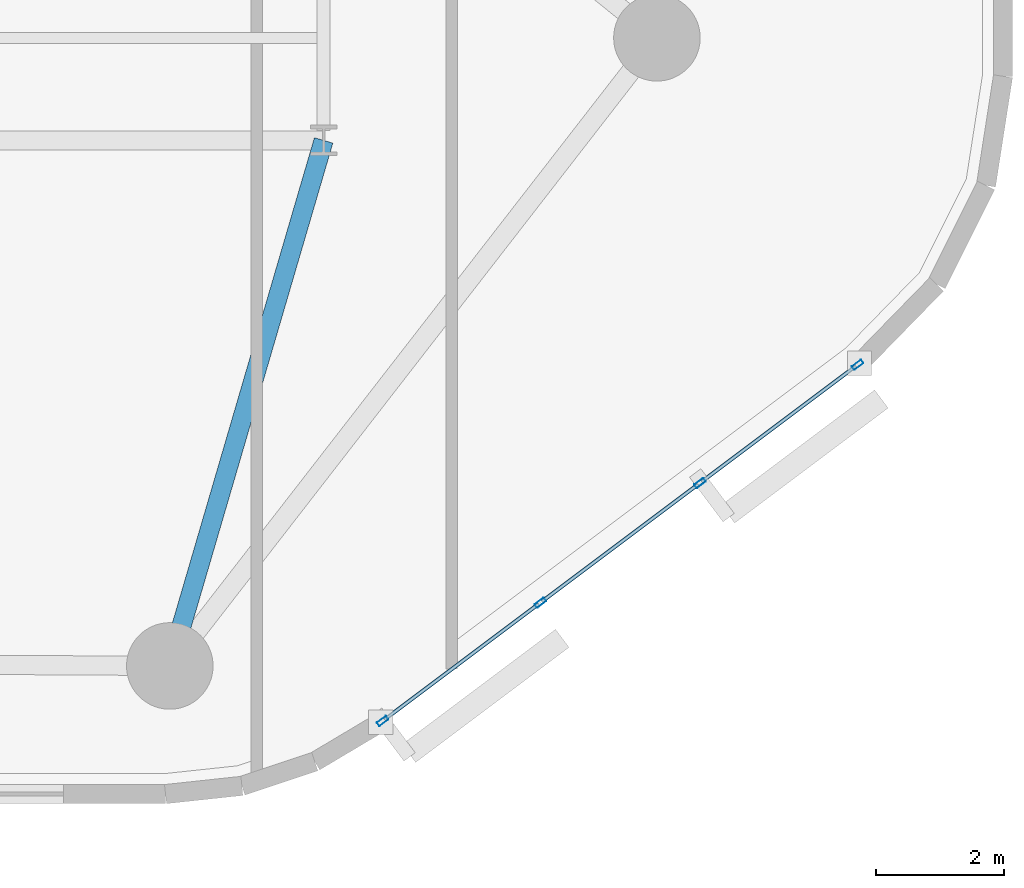
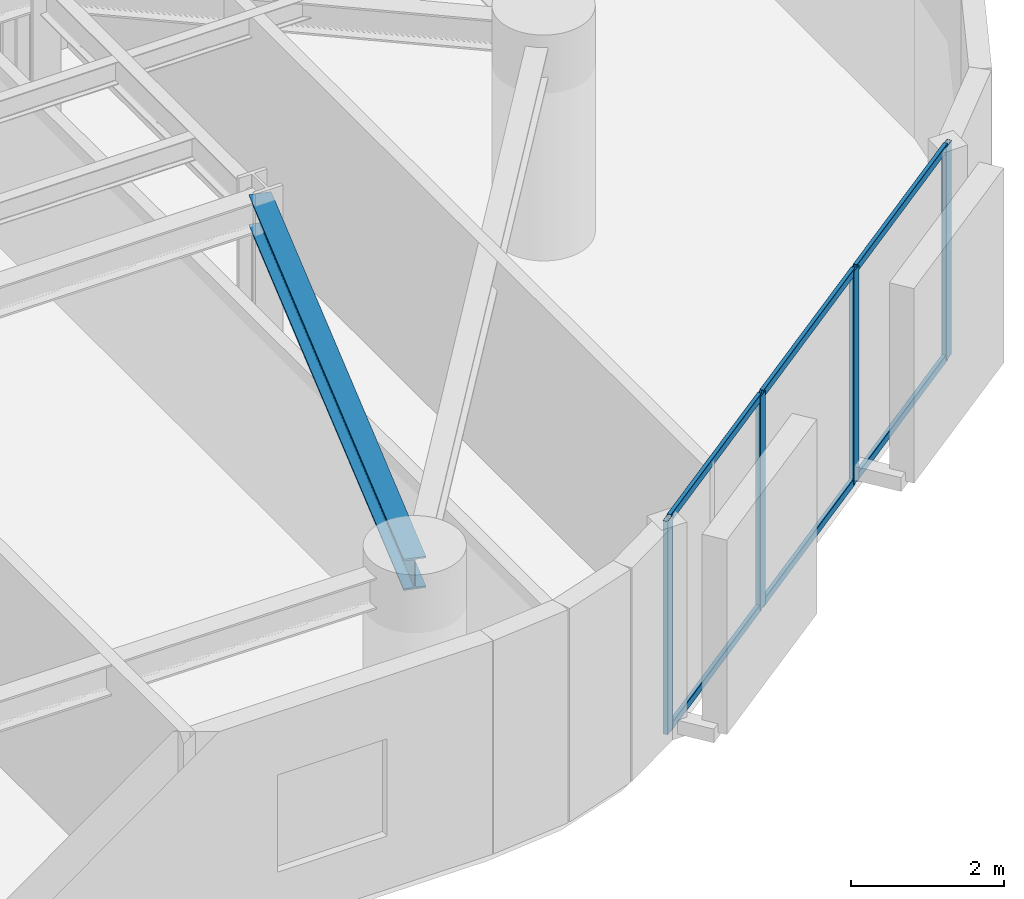
# One storey, part 2 of 14: 10 members, 1 beam, 1 element without a shape of its own.
"""IFC4 building model written with IfcOpenShell, lengths in metres."""

from ifc_helpers import new_model, si_unit, direction, frame, origin, origin_2d, place, context, subcontext, project, spatial, hollow_rectangle, i_section, extrude, material, layer, layer_set, material_profile, profile_set, type_object, element, aggregate, save


model = new_model("IFC4")

# Units and contexts
model_context = context("Model", 3, precision=1e-05, world=origin(), true_north=direction((0.0, 1.0)))
body_context = subcontext(model_context, "Body", "Model", "MODEL_VIEW")
ifc_project = project(units=[si_unit("LENGTHUNIT", "METRE"), si_unit("AREAUNIT", "SQUARE_METRE"), si_unit("VOLUMEUNIT", "CUBIC_METRE"), si_unit("PLANEANGLEUNIT", "RADIAN"), si_unit("MASSUNIT", "GRAM", prefix="KILO")], contexts=[model_context])

# Site, building, storey
site_placement = place(None, origin())
site = spatial("IfcSite", under=ifc_project, at=site_placement, CompositionType="ELEMENT")
building_placement = place(site_placement, origin())
building = spatial("IfcBuilding", under=site, at=building_placement, Name="An Khanh Terracotta Commons", CompositionType="ELEMENT")
storey_placement = place(building_placement, frame((0.0, 0.0, 115.10009765625)))
storey = spatial("IfcBuildingStorey", under=building, at=storey_placement, Name="L30", CompositionType="ELEMENT", Elevation=115.10009765625)

# Beam
ifc_material_1 = material(Name="Steel S355J2", Category="steel")
ifc_material_profile_1 = material_profile(ifc_material_1, i_section(OverallWidth=0.300048828125, OverallDepth=0.5, WebThickness=0.014404296875, FlangeThickness=0.028076171875, FilletRadius=0.027099609375, at=origin_2d()), Name="HEB500")
ifc_profile_set_1 = profile_set([ifc_material_profile_1], Name="Steel S355J2")
beam_type = type_object("IfcBeamType", Name="BM-HEB500", PredefinedType="BEAM", material=ifc_profile_set_1)
beam_placement = place(storey_placement, frame((44.39990234375, 6.199951171875, 3.14990234375), z_axis=(0.280916085823, 0.959732333896, 0.0), x_axis=(-0.959732333896, 0.280916085823, 0.0)))
element("IfcBeam", 1, at=beam_placement, inside=storey, type_object=beam_type, Name="L30 Mega-Column Tie Girder 2", PredefinedType="BEAM", context=body_context, shape_type="SweptSolid", body=[
    extrude(i_section(OverallWidth=0.300048828125, OverallDepth=0.5, WebThickness=0.014404296875, FlangeThickness=0.028076171875, FilletRadius=0.027099609375, at=origin_2d()), origin(), (0.0, 0.0, 1.0), 8.5439453125),
])

# Curtain wall, members
ifc_material_2 = material(Name="Anodised Aluminium 6063-T6", Category="aluminium")
ifc_layer = layer(ifc_material_2, 0.199951171875, Name="Anodised Aluminium 6063-T6")
ifc_layer_set = layer_set([ifc_layer], Name="Anodised Aluminium 6063-T6")
curtain_wall_type = type_object("IfcCurtainWallType", Name="CW-SYS-02", PredefinedType="USERDEFINED", material=ifc_layer_set)
curtain_wall_placement = place(storey_placement, origin())
curtain_wall = element("IfcCurtainWall", 2, at=curtain_wall_placement, inside=storey, type_object=curtain_wall_type, Name="L30 CW-02 Unitised Curtain Wall CW-L30-08", ObjectType="UNITISED CURTAIN WALL", PredefinedType="USERDEFINED")
ifc_material_profile_2 = material_profile(ifc_material_2, hollow_rectangle(XDim=0.070068359375, YDim=0.179931640625, WallThickness=0.00390625, InnerFilletRadius=0.00390625, OuterFilletRadius=0.008056640625, at=origin_2d()), Name="RHS180x70x4")
ifc_profile_set_2 = profile_set([ifc_material_profile_2], Name="Anodised Aluminium 6063-T6")
member_type_1 = type_object("IfcMemberType", Name="CWM-RHS180x70x4", PredefinedType="MULLION", material=ifc_profile_set_2)
member_1_placement = place(storey_placement, frame((47.720947265625, 5.341064453125, 0.0), z_axis=(0.0, 0.0, 1.0), x_axis=(-0.599982857492, 0.800012856594, 0.0)))
member_1 = element("IfcMember", 3, at=member_1_placement, type_object=member_type_1, Name="CW-02 mullion 1", PredefinedType="MULLION", context=body_context, shape_type="SweptSolid", body=[
    extrude(hollow_rectangle(XDim=0.070068359375, YDim=0.179931640625, WallThickness=0.00390625, InnerFilletRadius=0.00390625, OuterFilletRadius=0.008056640625, at=origin_2d()), origin(), (0.0, 0.0, 1.0), 3.39990234375),
])
member_2_placement = place(storey_placement, frame((50.181884765625, 7.186767578125, 0.0), z_axis=(0.0, 0.0, 1.0), x_axis=(-0.599982857492, 0.800012856594, 0.0)))
member_2 = element("IfcMember", 4, at=member_2_placement, type_object=member_type_1, Name="CW-02 mullion 2", PredefinedType="MULLION", context=body_context, shape_type="SweptSolid", body=[
    extrude(hollow_rectangle(XDim=0.070068359375, YDim=0.179931640625, WallThickness=0.00390625, InnerFilletRadius=0.00390625, OuterFilletRadius=0.008056640625, at=origin_2d()), origin(), (0.0, 0.0, 1.0), 3.39990234375),
])
member_3_placement = place(storey_placement, frame((52.6708984375, 9.05322265625, 0.0), z_axis=(0.0, 0.0, 1.0), x_axis=(-0.599982857492, 0.800012856594, 0.0)))
member_3 = element("IfcMember", 5, at=member_3_placement, type_object=member_type_1, Name="CW-02 mullion 3", PredefinedType="MULLION", context=body_context, shape_type="SweptSolid", body=[
    extrude(hollow_rectangle(XDim=0.070068359375, YDim=0.179931640625, WallThickness=0.00390625, InnerFilletRadius=0.00390625, OuterFilletRadius=0.008056640625, at=origin_2d()), origin(), (0.0, 0.0, 1.0), 3.39990234375),
])
member_4_placement = place(storey_placement, frame((55.132080078125, 10.89892578125, 0.0), z_axis=(0.0, 0.0, 1.0), x_axis=(-0.599982857492, 0.800012856594, 0.0)))
member_4 = element("IfcMember", 6, at=member_4_placement, type_object=member_type_1, Name="CW-02 mullion 4", PredefinedType="MULLION", context=body_context, shape_type="SweptSolid", body=[
    extrude(hollow_rectangle(XDim=0.070068359375, YDim=0.179931640625, WallThickness=0.00390625, InnerFilletRadius=0.00390625, OuterFilletRadius=0.008056640625, at=origin_2d()), origin(), (0.0, 0.0, 1.0), 3.39990234375),
])
ifc_material_profile_3 = material_profile(ifc_material_2, hollow_rectangle(XDim=0.06005859375, YDim=0.1201171875, WallThickness=0.003662109375, InnerFilletRadius=0.003662109375, OuterFilletRadius=0.007080078125, at=origin_2d()), Name="RHS120x60x3.6")
ifc_profile_set_3 = profile_set([ifc_material_profile_3], Name="Anodised Aluminium 6063-T6")
member_type_2 = type_object("IfcMemberType", Name="CWT-RHS120x60x3.6", PredefinedType="USERDEFINED", material=ifc_profile_set_3)
member_5_placement = place(storey_placement, frame((47.7490234375, 5.362060546875, 0.02978515625), z_axis=(0.800009745217, 0.599987006158, 0.0), x_axis=(-0.599987006158, 0.800009745217, 0.0)))
member_5 = element("IfcMember", 7, at=member_5_placement, type_object=member_type_2, Name="CW-02 transom 1.1", ObjectType="TRANSOM", PredefinedType="USERDEFINED", context=body_context, shape_type="SweptSolid", body=[
    extrude(hollow_rectangle(XDim=0.06005859375, YDim=0.1201171875, WallThickness=0.003662109375, InnerFilletRadius=0.003662109375, OuterFilletRadius=0.007080078125, at=origin_2d()), origin(), (0.0, 0.0, 1.0), 3.00634765625),
])
member_6_placement = place(storey_placement, frame((47.7490234375, 5.362060546875, 3.369873046875), z_axis=(0.800009745217, 0.599987006158, 0.0), x_axis=(-0.599987006158, 0.800009745217, 0.0)))
member_6 = element("IfcMember", 8, at=member_6_placement, type_object=member_type_2, Name="CW-02 transom 1.2", ObjectType="TRANSOM", PredefinedType="USERDEFINED", context=body_context, shape_type="SweptSolid", body=[
    extrude(hollow_rectangle(XDim=0.06005859375, YDim=0.1201171875, WallThickness=0.003662109375, InnerFilletRadius=0.003662109375, OuterFilletRadius=0.007080078125, at=origin_2d()), origin(), (0.0, 0.0, 1.0), 3.00634765625),
])
member_7_placement = place(storey_placement, frame((50.2099609375, 7.207763671875, 0.02978515625), z_axis=(0.800057796972, 0.599922929638, 0.0), x_axis=(-0.599922929638, 0.800057796972, 0.0)))
member_7 = element("IfcMember", 9, at=member_7_placement, type_object=member_type_2, Name="CW-02 transom 2.1", ObjectType="TRANSOM", PredefinedType="USERDEFINED", context=body_context, shape_type="SweptSolid", body=[
    extrude(hollow_rectangle(XDim=0.06005859375, YDim=0.1201171875, WallThickness=0.003662109375, InnerFilletRadius=0.003662109375, OuterFilletRadius=0.007080078125, at=origin_2d()), origin(), (0.0, 0.0, 1.0), 3.041259765625),
])
member_8_placement = place(storey_placement, frame((50.2099609375, 7.207763671875, 3.369873046875), z_axis=(0.800057796972, 0.599922929638, 0.0), x_axis=(-0.599922929638, 0.800057796972, 0.0)))
member_8 = element("IfcMember", 10, at=member_8_placement, type_object=member_type_2, Name="CW-02 transom 2.2", ObjectType="TRANSOM", PredefinedType="USERDEFINED", context=body_context, shape_type="SweptSolid", body=[
    extrude(hollow_rectangle(XDim=0.06005859375, YDim=0.1201171875, WallThickness=0.003662109375, InnerFilletRadius=0.003662109375, OuterFilletRadius=0.007080078125, at=origin_2d()), origin(), (0.0, 0.0, 1.0), 3.041259765625),
])
member_9_placement = place(storey_placement, frame((52.698974609375, 9.07421875, 0.02978515625), z_axis=(0.800009745217, 0.599987006158, 0.0), x_axis=(-0.599987006158, 0.800009745217, 0.0)))
member_9 = element("IfcMember", 11, at=member_9_placement, type_object=member_type_2, Name="CW-02 transom 3.1", ObjectType="TRANSOM", PredefinedType="USERDEFINED", context=body_context, shape_type="SweptSolid", body=[
    extrude(hollow_rectangle(XDim=0.06005859375, YDim=0.1201171875, WallThickness=0.003662109375, InnerFilletRadius=0.003662109375, OuterFilletRadius=0.007080078125, at=origin_2d()), origin(), (0.0, 0.0, 1.0), 3.00634765625),
])
member_10_placement = place(storey_placement, frame((52.698974609375, 9.07421875, 3.369873046875), z_axis=(0.800009745217, 0.599987006158, 0.0), x_axis=(-0.599987006158, 0.800009745217, 0.0)))
member_10 = element("IfcMember", 12, at=member_10_placement, type_object=member_type_2, Name="CW-02 transom 3.2", ObjectType="TRANSOM", PredefinedType="USERDEFINED", context=body_context, shape_type="SweptSolid", body=[
    extrude(hollow_rectangle(XDim=0.06005859375, YDim=0.1201171875, WallThickness=0.003662109375, InnerFilletRadius=0.003662109375, OuterFilletRadius=0.007080078125, at=origin_2d()), origin(), (0.0, 0.0, 1.0), 3.00634765625),
])
aggregate(curtain_wall, [member_1, member_2, member_3, member_4, member_5, member_6, member_7, member_8, member_9, member_10])

save(model, "model.ifc")
